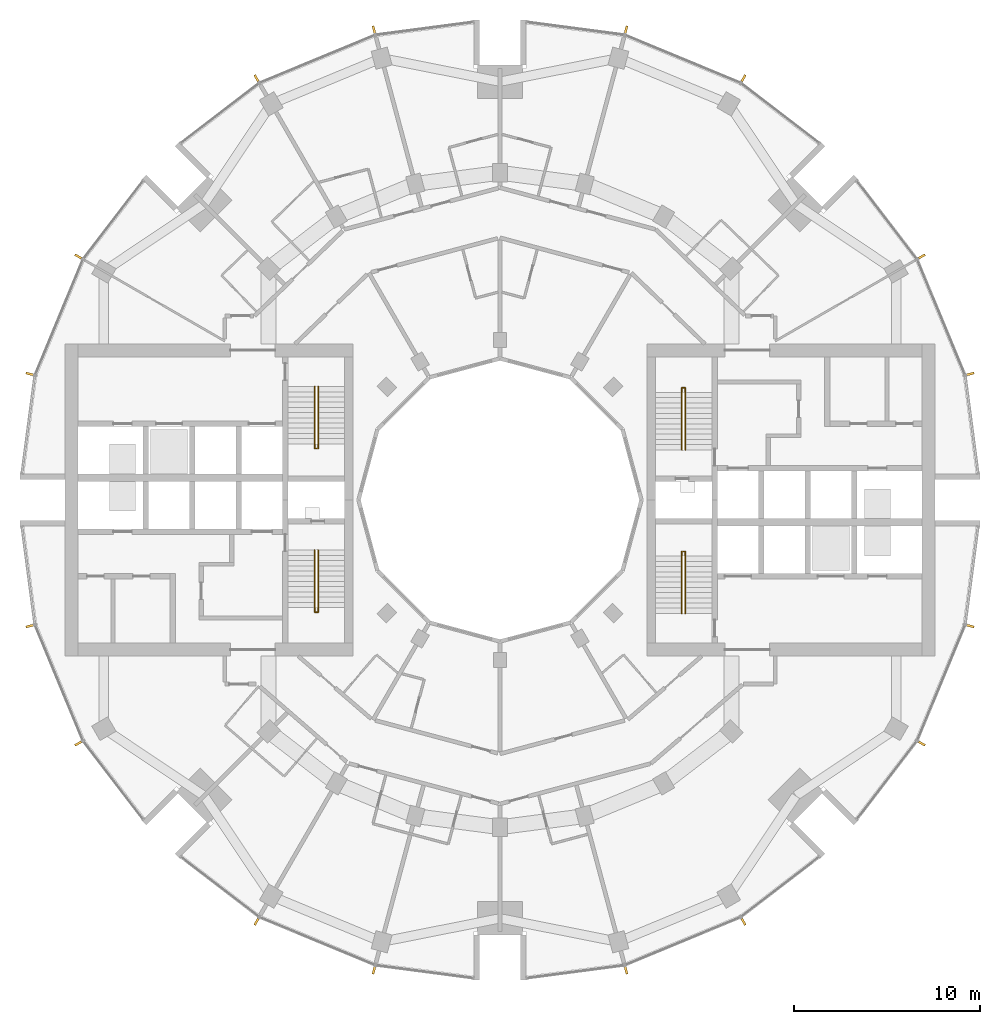
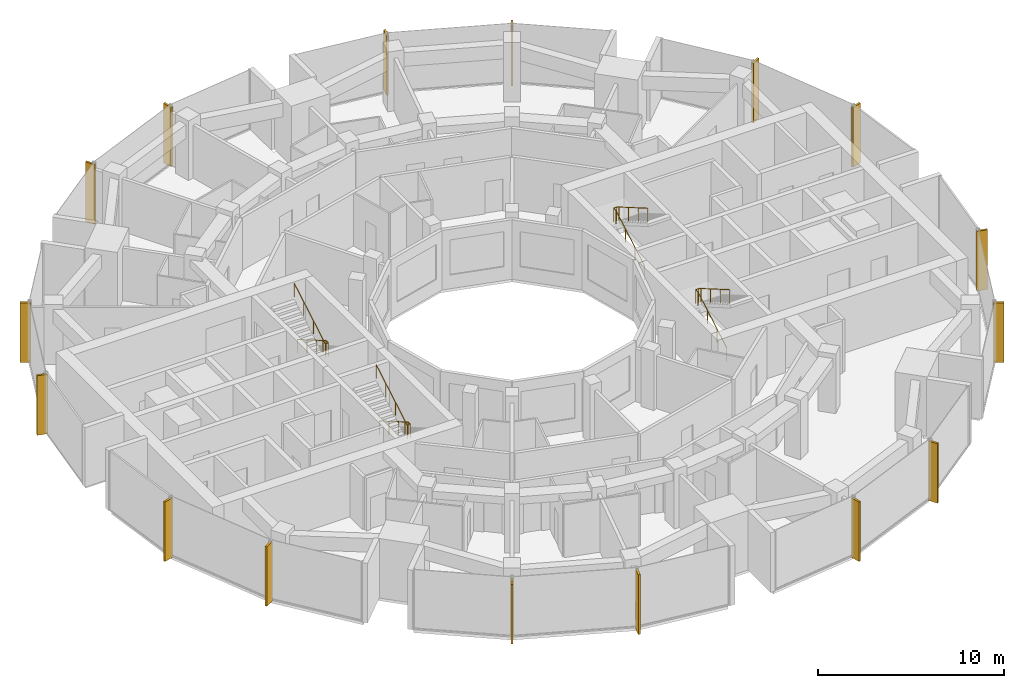
# One storey, part 14 of 15: 16 shading devices, 4 railings.
"""IFC4 building model written with IfcOpenShell, lengths in metres."""

from ifc_helpers import new_model, si_unit, direction, frame, origin, origin_2d, place, context, subcontext, project, spatial, rectangle, circle, extrude, material, material_profile, profile_set, type_object, element, save


model = new_model("IFC4")

# Units and contexts
model_context = context("Model", 3, precision=1e-05, world=origin(), true_north=direction((0.0, 1.0)))
body_context = subcontext(model_context, "Body", "Model", "MODEL_VIEW")
ifc_project = project(units=[si_unit("LENGTHUNIT", "METRE"), si_unit("AREAUNIT", "SQUARE_METRE"), si_unit("VOLUMEUNIT", "CUBIC_METRE"), si_unit("PLANEANGLEUNIT", "RADIAN"), si_unit("MASSUNIT", "GRAM", prefix="KILO")], contexts=[model_context])

# Site, building, storey
site_placement = place(None, origin())
site = spatial("IfcSite", under=ifc_project, at=site_placement, CompositionType="ELEMENT")
building_placement = place(site_placement, origin())
building = spatial("IfcBuilding", under=site, at=building_placement, Name="Torre Brocal", CompositionType="ELEMENT")
storey_placement = place(building_placement, frame((0.0, 0.0, 141.89990234375)))
storey = spatial("IfcBuildingStorey", under=building, at=storey_placement, Name="L33", CompositionType="ELEMENT", Elevation=141.89990234375)

# Shading devices
ifc_material_1 = material(Name="Aluminium, black anodised", Category="aluminium")
ifc_material_profile = material_profile(ifc_material_1, rectangle(XDim=0.1201171875, YDim=0.60009765625, at=origin_2d()), Name="FIN 120X600 3900 HIGH")
ifc_profile_set = profile_set([ifc_material_profile], Name="Aluminium, black anodised")
shading_device_type = type_object("IfcShadingDeviceType", Name="FIN 120X600 3900 HIGH", PredefinedType="USERDEFINED", material=ifc_profile_set)
for number, where, z_axis, x_axis, name in (
    (1, (105.208984375, 81.754638671875, -0.14990234375), (0.0, 0.0, 1.0), (-0.258819045103, 0.965925826289, 0.0), "FIN"),
    (2, (102.601806640625, 88.049072265625, -0.14990234375), (0.0, 0.0, 1.0), (-0.5, 0.866025403784, 0.0), "FIN"),
    (3, (93.049072265625, 97.601806640625, -0.14990234375), (0.0, 0.0, 1.0), (-0.866025403784, 0.5, 0.0), "FIN"),
    (4, (86.754638671875, 100.208984375, -0.14990234375), (0.0, 0.0, 1.0), (-0.965925826289, 0.258819045103, 0.0), "FIN"),
    (5, (73.245361328125, 100.208984375, -0.14990234375), (0.0, 0.0, 1.0), (-0.965925826289, -0.258819045103, 0.0), "FIN"),
    (6, (66.950927734375, 97.601806640625, -0.14990234375), (0.0, 0.0, 1.0), (-0.866025403784, -0.5, 0.0), "FIN"),
    (7, (57.398193359375, 88.049072265625, -0.14990234375), (0.0, 0.0, 1.0), (-0.5, -0.866025403784, 0.0), "FIN"),
    (8, (54.791015625, 81.754638671875, -0.14990234375), (0.0, 0.0, 1.0), (-0.258819045103, -0.965925826289, 0.0), "FIN"),
    (9, (54.791015625, 68.245361328125, -0.14990234375), (0.0, 0.0, 1.0), (0.258819045103, -0.965925826289, 0.0), "FIN"),
    (10, (57.398193359375, 61.950927734375, -0.14990234375), (0.0, 0.0, 1.0), (0.5, -0.866025403784, 0.0), "FIN"),
    (11, (66.950927734375, 52.398193359375, -0.14990234375), (0.0, 0.0, 1.0), (0.866025403784, -0.5, 0.0), "FIN"),
    (12, (73.245361328125, 49.791015625, -0.14990234375), (0.0, 0.0, 1.0), (0.965925826289, -0.258819045103, 0.0), "FIN"),
    (13, (86.754638671875, 49.791015625, -0.14990234375), (0.0, 0.0, 1.0), (0.965925826289, 0.258819045103, 0.0), "FIN"),
    (14, (93.049072265625, 52.398193359375, -0.14990234375), (0.0, 0.0, 1.0), (0.866025403784, 0.5, 0.0), "FIN"),
    (15, (102.601806640625, 61.950927734375, -0.14990234375), (0.0, 0.0, 1.0), (0.5, 0.866025403784, 0.0), "FIN"),
    (16, (105.208984375, 68.245361328125, -0.14990234375), (0.0, 0.0, 1.0), (0.258819045103, 0.965925826289, 0.0), "FIN"),
):
    element("IfcShadingDevice", number, at=place(storey_placement, frame(where, z_axis=z_axis, x_axis=x_axis)), inside=storey, type_object=shading_device_type, Name=name, ObjectType="FIN", PredefinedType="USERDEFINED", context=body_context, shape_type="SweptSolid", body=[
        extrude(rectangle(XDim=0.1201171875, YDim=0.60009765625, at=origin_2d()), origin(), (0.0, 0.0, 1.0), 3.89990234375),
    ])

# Railings
ifc_material_2 = material(Name="Stainless steel AISI 316", Category="steel")
railing_type = type_object("IfcRailingType", Name="STAIR HANDRAIL", PredefinedType="HANDRAIL", material=ifc_material_2)
railing_1_placement = place(storey_placement, frame((89.780029296875, 77.699951171875, 0.16259765625)))
element("IfcRailing", 17, at=railing_1_placement, inside=storey, type_object=railing_type, Name="HANDRAIL ST1", PredefinedType="HANDRAIL", context=body_context, shape_type="SweptSolid", body=[
    extrude(circle(Radius=0.02392578125, at=origin_2d()), frame((0.0, 0.0, 0.8759765625), z_axis=(0.0, 0.864890721111, 0.501960198159), x_axis=(-1.0, 0.0, 0.0)), (0.0, 0.0, 1.0), 3.561279296875),
    extrude(circle(Radius=0.02392578125, at=origin_2d()), frame((0.0, 3.080078125, 2.66357421875), z_axis=(0.0, 1.0, 0.0), x_axis=(-1.0, 0.0, 0.0)), (0.0, 0.0, 1.0), 0.25),
    extrude(circle(Radius=0.02392578125, at=origin_2d()), frame((0.0, 3.330078125, 2.66357421875), z_axis=(1.0, 0.0, 0.0), x_axis=(0.0, 1.0, 0.0)), (0.0, 0.0, 1.0), 0.18994140625),
    extrude(circle(Radius=0.02392578125, at=origin_2d()), frame((0.18994140625, 3.330078125, 2.66357421875), z_axis=(0.0, -0.838668089672, 0.544642851203), x_axis=(1.0, 0.0, 0.0)), (0.0, 0.0, 1.0), 0.298095703125),
    extrude(circle(Radius=0.02392578125, at=origin_2d()), frame((0.18994140625, 3.080078125, 2.82568359375), z_axis=(0.0, -0.864890721111, 0.501960198159), x_axis=(1.0, 0.0, 0.0)), (0.0, 0.0, 1.0), 3.561279296875),
    extrude(circle(Radius=0.02099609375, at=origin_2d()), origin(), (0.0, 0.0, 1.0), 0.851806640625),
    extrude(circle(Radius=0.02099609375, at=origin_2d()), frame((0.0, 1.026611328125, 0.595947265625)), (0.0, 0.0, 1.0), 0.851806640625),
    extrude(circle(Radius=0.02099609375, at=origin_2d()), frame((0.0, 2.053466796875, 1.191650390625)), (0.0, 0.0, 1.0), 0.851806640625),
    extrude(circle(Radius=0.02099609375, at=origin_2d()), frame((0.0, 3.080078125, 1.78759765625)), (0.0, 0.0, 1.0), 0.851806640625),
    extrude(circle(Radius=0.02099609375, at=origin_2d()), frame((0.0, 3.330078125, 1.78759765625)), (0.0, 0.0, 1.0), 0.851806640625),
    extrude(circle(Radius=0.02099609375, at=origin_2d()), frame((0.18994140625, 3.330078125, 1.78759765625)), (0.0, 0.0, 1.0), 0.851806640625),
    extrude(circle(Radius=0.02099609375, at=origin_2d()), frame((0.18994140625, 3.080078125, 1.949951171875)), (0.0, 0.0, 1.0), 0.851806640625),
    extrude(circle(Radius=0.02099609375, at=origin_2d()), frame((0.18994140625, 2.053466796875, 2.5458984375)), (0.0, 0.0, 1.0), 0.851806640625),
    extrude(circle(Radius=0.02099609375, at=origin_2d()), frame((0.18994140625, 1.026611328125, 3.1416015625)), (0.0, 0.0, 1.0), 0.851806640625),
    extrude(circle(Radius=0.02099609375, at=origin_2d()), frame((0.18994140625, 0.0, 3.737548828125)), (0.0, 0.0, 1.0), 0.851806640625),
])
railing_2_placement = place(storey_placement, frame((89.780029296875, 68.89990234375, 0.16259765625)))
element("IfcRailing", 18, at=railing_2_placement, inside=storey, type_object=railing_type, Name="HANDRAIL ST2", PredefinedType="HANDRAIL", context=body_context, shape_type="SweptSolid", body=[
    extrude(circle(Radius=0.02392578125, at=origin_2d()), frame((0.0, 0.0, 0.8759765625), z_axis=(0.0, 0.864890721111, 0.501960198159), x_axis=(-1.0, 0.0, 0.0)), (0.0, 0.0, 1.0), 3.561279296875),
    extrude(circle(Radius=0.02392578125, at=origin_2d()), frame((0.0, 3.080078125, 2.66357421875), z_axis=(0.0, 1.0, 0.0), x_axis=(-1.0, 0.0, 0.0)), (0.0, 0.0, 1.0), 0.25),
    extrude(circle(Radius=0.02392578125, at=origin_2d()), frame((0.0, 3.330078125, 2.66357421875), z_axis=(1.0, 0.0, 0.0), x_axis=(0.0, 1.0, 0.0)), (0.0, 0.0, 1.0), 0.18994140625),
    extrude(circle(Radius=0.02392578125, at=origin_2d()), frame((0.18994140625, 3.330078125, 2.66357421875), z_axis=(0.0, -0.838668089672, 0.544642851203), x_axis=(1.0, 0.0, 0.0)), (0.0, 0.0, 1.0), 0.298095703125),
    extrude(circle(Radius=0.02392578125, at=origin_2d()), frame((0.18994140625, 3.080078125, 2.82568359375), z_axis=(0.0, -0.864890721111, 0.501960198159), x_axis=(1.0, 0.0, 0.0)), (0.0, 0.0, 1.0), 3.561279296875),
    extrude(circle(Radius=0.02099609375, at=origin_2d()), origin(), (0.0, 0.0, 1.0), 0.851806640625),
    extrude(circle(Radius=0.02099609375, at=origin_2d()), frame((0.0, 1.026611328125, 0.595947265625)), (0.0, 0.0, 1.0), 0.851806640625),
    extrude(circle(Radius=0.02099609375, at=origin_2d()), frame((0.0, 2.053466796875, 1.191650390625)), (0.0, 0.0, 1.0), 0.851806640625),
    extrude(circle(Radius=0.02099609375, at=origin_2d()), frame((0.0, 3.080078125, 1.78759765625)), (0.0, 0.0, 1.0), 0.851806640625),
    extrude(circle(Radius=0.02099609375, at=origin_2d()), frame((0.0, 3.330078125, 1.78759765625)), (0.0, 0.0, 1.0), 0.851806640625),
    extrude(circle(Radius=0.02099609375, at=origin_2d()), frame((0.18994140625, 3.330078125, 1.78759765625)), (0.0, 0.0, 1.0), 0.851806640625),
    extrude(circle(Radius=0.02099609375, at=origin_2d()), frame((0.18994140625, 3.080078125, 1.949951171875)), (0.0, 0.0, 1.0), 0.851806640625),
    extrude(circle(Radius=0.02099609375, at=origin_2d()), frame((0.18994140625, 2.053466796875, 2.5458984375)), (0.0, 0.0, 1.0), 0.851806640625),
    extrude(circle(Radius=0.02099609375, at=origin_2d()), frame((0.18994140625, 1.026611328125, 3.1416015625)), (0.0, 0.0, 1.0), 0.851806640625),
    extrude(circle(Radius=0.02099609375, at=origin_2d()), frame((0.18994140625, 0.0, 3.737548828125)), (0.0, 0.0, 1.0), 0.851806640625),
])
railing_3_placement = place(storey_placement, frame((70.219970703125, 72.300048828125, 0.16259765625)))
element("IfcRailing", 19, at=railing_3_placement, inside=storey, type_object=railing_type, Name="HANDRAIL ST3", PredefinedType="HANDRAIL", context=body_context, shape_type="SweptSolid", body=[
    extrude(circle(Radius=0.02392578125, at=origin_2d()), frame((0.0, 0.0, 0.8759765625), z_axis=(0.0, -0.864890721111, 0.501960198159), x_axis=(1.0, 0.0, 0.0)), (0.0, 0.0, 1.0), 3.561279296875),
    extrude(circle(Radius=0.02392578125, at=origin_2d()), frame((0.0, -3.080078125, 2.66357421875), z_axis=(0.0, -1.0, 0.0), x_axis=(1.0, 0.0, 0.0)), (0.0, 0.0, 1.0), 0.25),
    extrude(circle(Radius=0.02392578125, at=origin_2d()), frame((0.0, -3.330078125, 2.66357421875), z_axis=(-1.0, 0.0, 0.0), x_axis=(0.0, -1.0, 0.0)), (0.0, 0.0, 1.0), 0.18994140625),
    extrude(circle(Radius=0.02392578125, at=origin_2d()), frame((-0.18994140625, -3.330078125, 2.66357421875), z_axis=(0.0, 0.838668089672, 0.544642851203), x_axis=(-1.0, 0.0, 0.0)), (0.0, 0.0, 1.0), 0.298095703125),
    extrude(circle(Radius=0.02392578125, at=origin_2d()), frame((-0.18994140625, -3.080078125, 2.82568359375), z_axis=(0.0, 0.864890721111, 0.501960198159), x_axis=(-1.0, 0.0, 0.0)), (0.0, 0.0, 1.0), 3.561279296875),
    extrude(circle(Radius=0.02099609375, at=origin_2d()), origin(), (0.0, 0.0, 1.0), 0.851806640625),
    extrude(circle(Radius=0.02099609375, at=origin_2d()), frame((0.0, -1.026611328125, 0.595947265625)), (0.0, 0.0, 1.0), 0.851806640625),
    extrude(circle(Radius=0.02099609375, at=origin_2d()), frame((0.0, -2.053466796875, 1.191650390625)), (0.0, 0.0, 1.0), 0.851806640625),
    extrude(circle(Radius=0.02099609375, at=origin_2d()), frame((0.0, -3.080078125, 1.78759765625)), (0.0, 0.0, 1.0), 0.851806640625),
    extrude(circle(Radius=0.02099609375, at=origin_2d()), frame((0.0, -3.330078125, 1.78759765625)), (0.0, 0.0, 1.0), 0.851806640625),
    extrude(circle(Radius=0.02099609375, at=origin_2d()), frame((-0.18994140625, -3.330078125, 1.78759765625)), (0.0, 0.0, 1.0), 0.851806640625),
    extrude(circle(Radius=0.02099609375, at=origin_2d()), frame((-0.18994140625, -3.080078125, 1.949951171875)), (0.0, 0.0, 1.0), 0.851806640625),
    extrude(circle(Radius=0.02099609375, at=origin_2d()), frame((-0.18994140625, -2.053466796875, 2.5458984375)), (0.0, 0.0, 1.0), 0.851806640625),
    extrude(circle(Radius=0.02099609375, at=origin_2d()), frame((-0.18994140625, -1.026611328125, 3.1416015625)), (0.0, 0.0, 1.0), 0.851806640625),
    extrude(circle(Radius=0.02099609375, at=origin_2d()), frame((-0.18994140625, 0.0, 3.737548828125)), (0.0, 0.0, 1.0), 0.851806640625),
])
railing_4_placement = place(storey_placement, frame((70.219970703125, 81.10009765625, 0.16259765625)))
element("IfcRailing", 20, at=railing_4_placement, inside=storey, type_object=railing_type, Name="HANDRAIL ST4", PredefinedType="HANDRAIL", context=body_context, shape_type="SweptSolid", body=[
    extrude(circle(Radius=0.02392578125, at=origin_2d()), frame((0.0, 0.0, 0.8759765625), z_axis=(0.0, -0.864890721111, 0.501960198159), x_axis=(1.0, 0.0, 0.0)), (0.0, 0.0, 1.0), 3.561279296875),
    extrude(circle(Radius=0.02392578125, at=origin_2d()), frame((0.0, -3.080078125, 2.66357421875), z_axis=(0.0, -1.0, 0.0), x_axis=(1.0, 0.0, 0.0)), (0.0, 0.0, 1.0), 0.25),
    extrude(circle(Radius=0.02392578125, at=origin_2d()), frame((0.0, -3.330078125, 2.66357421875), z_axis=(-1.0, 0.0, 0.0), x_axis=(0.0, -1.0, 0.0)), (0.0, 0.0, 1.0), 0.18994140625),
    extrude(circle(Radius=0.02392578125, at=origin_2d()), frame((-0.18994140625, -3.330078125, 2.66357421875), z_axis=(0.0, 0.838668089672, 0.544642851203), x_axis=(-1.0, 0.0, 0.0)), (0.0, 0.0, 1.0), 0.298095703125),
    extrude(circle(Radius=0.02392578125, at=origin_2d()), frame((-0.18994140625, -3.080078125, 2.82568359375), z_axis=(0.0, 0.864890721111, 0.501960198159), x_axis=(-1.0, 0.0, 0.0)), (0.0, 0.0, 1.0), 3.561279296875),
    extrude(circle(Radius=0.02099609375, at=origin_2d()), origin(), (0.0, 0.0, 1.0), 0.851806640625),
    extrude(circle(Radius=0.02099609375, at=origin_2d()), frame((0.0, -1.026611328125, 0.595947265625)), (0.0, 0.0, 1.0), 0.851806640625),
    extrude(circle(Radius=0.02099609375, at=origin_2d()), frame((0.0, -2.053466796875, 1.191650390625)), (0.0, 0.0, 1.0), 0.851806640625),
    extrude(circle(Radius=0.02099609375, at=origin_2d()), frame((0.0, -3.080078125, 1.78759765625)), (0.0, 0.0, 1.0), 0.851806640625),
    extrude(circle(Radius=0.02099609375, at=origin_2d()), frame((0.0, -3.330078125, 1.78759765625)), (0.0, 0.0, 1.0), 0.851806640625),
    extrude(circle(Radius=0.02099609375, at=origin_2d()), frame((-0.18994140625, -3.330078125, 1.78759765625)), (0.0, 0.0, 1.0), 0.851806640625),
    extrude(circle(Radius=0.02099609375, at=origin_2d()), frame((-0.18994140625, -3.080078125, 1.949951171875)), (0.0, 0.0, 1.0), 0.851806640625),
    extrude(circle(Radius=0.02099609375, at=origin_2d()), frame((-0.18994140625, -2.053466796875, 2.5458984375)), (0.0, 0.0, 1.0), 0.851806640625),
    extrude(circle(Radius=0.02099609375, at=origin_2d()), frame((-0.18994140625, -1.026611328125, 3.1416015625)), (0.0, 0.0, 1.0), 0.851806640625),
    extrude(circle(Radius=0.02099609375, at=origin_2d()), frame((-0.18994140625, 0.0, 3.737548828125)), (0.0, 0.0, 1.0), 0.851806640625),
])

save(model, "model.ifc")
